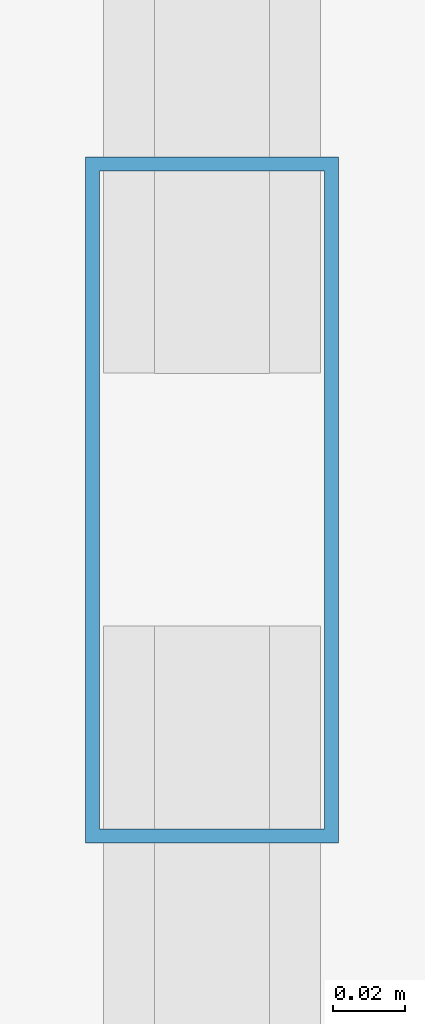
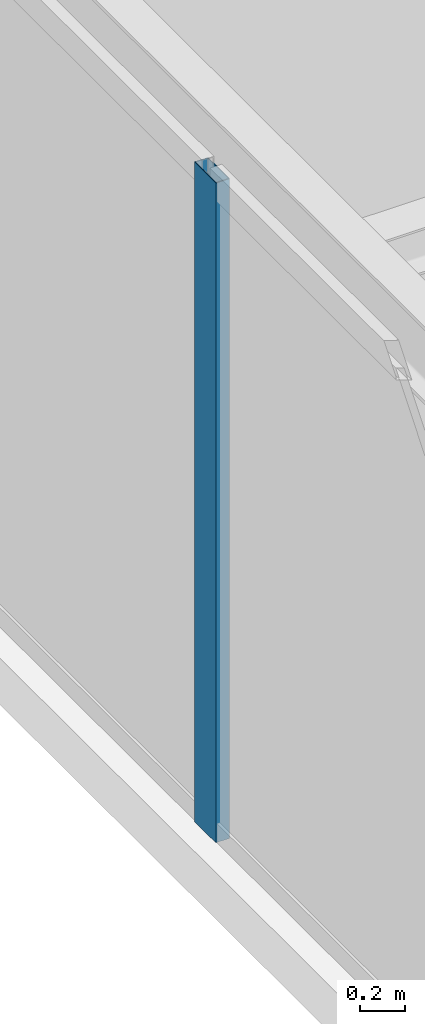
# One storey, part 10 of 36: 1 member, 1 element without a shape of its own.
"""IFC4 building model written with IfcOpenShell, lengths in metres."""

from ifc_helpers import new_model, si_unit, direction, frame, origin, origin_2d, place, context, subcontext, project, spatial, hollow_rectangle, extrude, source, transform, mapped, material, layer, layer_set, material_profile, profile_set, type_object, type_shapes, element, aggregate, save


model = new_model("IFC4")

# Units and contexts
model_context = context("Model", 3, precision=1e-05, world=origin(), true_north=direction((0.0, 1.0)))
body_context = subcontext(model_context, "Body", "Model", "MODEL_VIEW")
ifc_project = project(units=[si_unit("LENGTHUNIT", "METRE"), si_unit("AREAUNIT", "SQUARE_METRE"), si_unit("VOLUMEUNIT", "CUBIC_METRE"), si_unit("PLANEANGLEUNIT", "RADIAN"), si_unit("MASSUNIT", "GRAM", prefix="KILO")], contexts=[model_context])

# Site, building, storey
site_placement = place(None, origin())
site = spatial("IfcSite", under=ifc_project, at=site_placement, CompositionType="ELEMENT")
building_placement = place(site_placement, origin())
building = spatial("IfcBuilding", under=site, at=building_placement, Name="Varnel Quay Broadcast Tower", CompositionType="ELEMENT")
storey_placement = place(building_placement, frame((0.0, 0.0, 114.39990234375)))
storey = spatial("IfcBuildingStorey", under=building, at=storey_placement, Name="L27", CompositionType="ELEMENT", Elevation=114.39990234375)

# Curtain wall, member
ifc_material = material(Name="Anodised Bronze Aluminium 6063-T6", Category="aluminium")
ifc_layer = layer(ifc_material, 0.18994140625, Name="Anodised Bronze Aluminium 6063-T6")
ifc_layer_set = layer_set([ifc_layer], Name="Anodised Bronze Aluminium 6063-T6")
curtain_wall_type = type_object("IfcCurtainWallType", Name="CW_LowerTower", PredefinedType="NOTDEFINED", material=ifc_layer_set)
curtain_wall_placement = place(storey_placement, origin())
curtain_wall = element("IfcCurtainWall", 1, at=curtain_wall_placement, inside=storey, type_object=curtain_wall_type, Name="L27 West Unitised Curtain Wall", PredefinedType="NOTDEFINED")
ifc_material_profile = material_profile(ifc_material, hollow_rectangle(XDim=0.070068359375, YDim=0.18994140625, WallThickness=0.00390625, at=origin_2d()), Name="ALU70X190X4")
ifc_profile_set = profile_set([ifc_material_profile], Name="Anodised Bronze Aluminium 6063-T6")
member_type = type_object("IfcMemberType", Name="Mull_CWS-02", PredefinedType="MULLION", material=ifc_profile_set)
shared_shape = source(origin(), body_context, "Body", "SweptSolid", [
    extrude(hollow_rectangle(XDim=0.070068359375, YDim=0.18994140625, WallThickness=0.00390625, at=origin_2d()), origin(), (0.0, 0.0, 1.0), 3.550048828125),
])
type_shapes(member_type, [shared_shape])
member_placement = place(storey_placement, frame((4.64990234375, 31.39990234375, 0.0), z_axis=(0.0, 0.0, 1.0), x_axis=(-1.0, 0.0, 0.0)))
member = element("IfcMember", 2, at=member_placement, type_object=member_type, Name="CWS-02 mullion 3", PredefinedType="MULLION", context=body_context, shape_type="MappedRepresentation", body=[
    mapped(shared_shape, transform((0.0, 0.0, 0.0), x_axis=(1.0, 0.0, 0.0), y_axis=(0.0, 1.0, 0.0), z_axis=(0.0, 0.0, 1.0), scale=1.0)),
])
aggregate(curtain_wall, [member])

save(model, "model.ifc")
